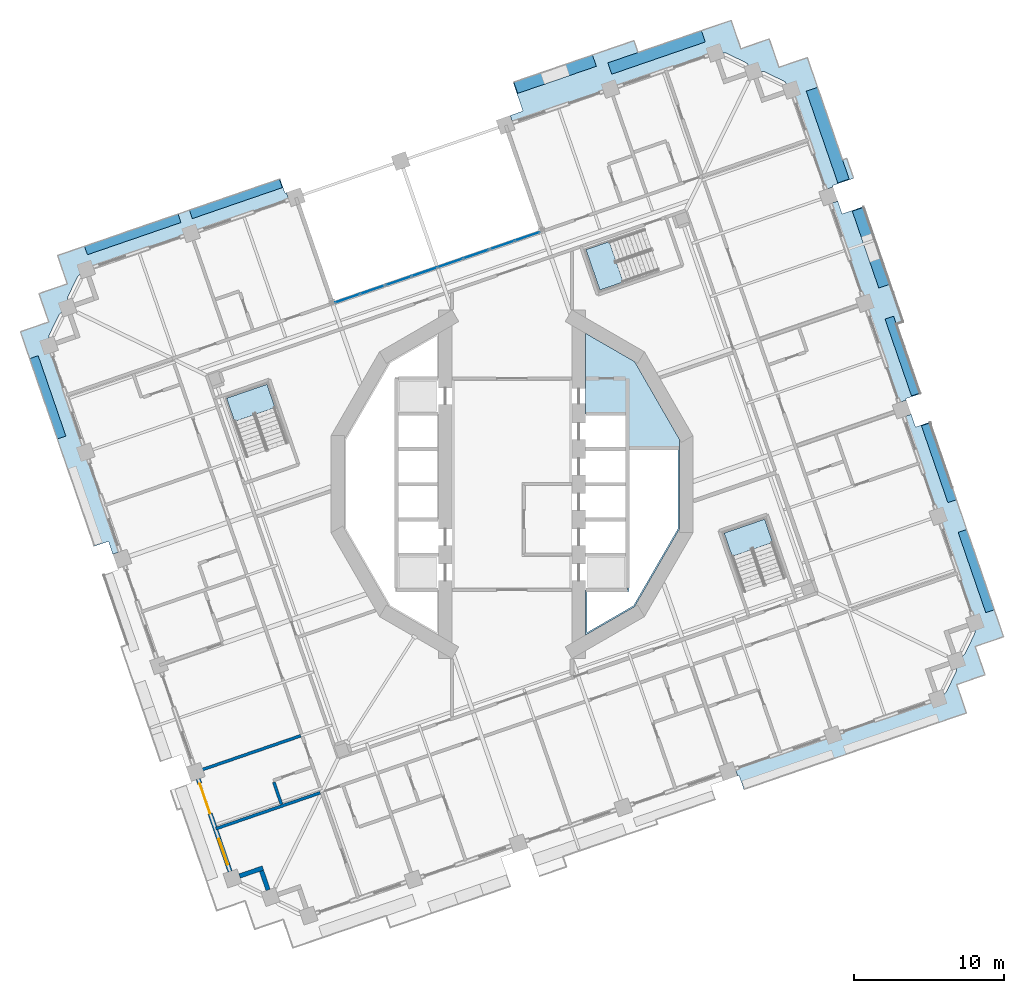
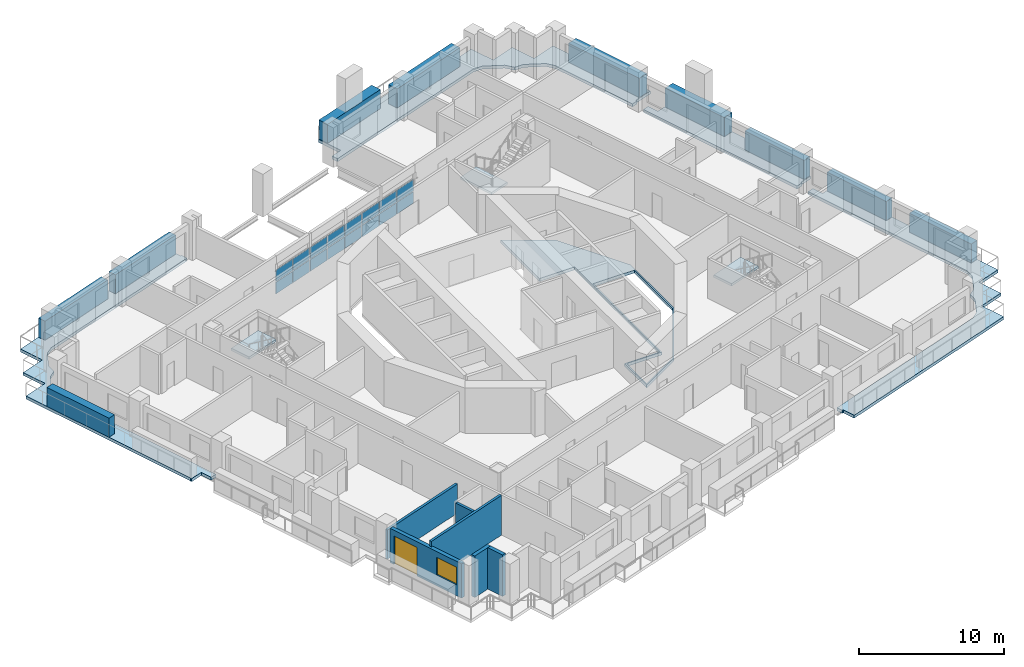
# One storey, part 6 of 22: 26 plates, 8 slabs, 6 walls, 1 door, 1 window, 2 openings, 4 elements without a shape of their own.
"""IFC4 building model written with IfcOpenShell, lengths in metres."""

from ifc_helpers import new_model, si_unit, direction, frame, frame_2d, origin, origin_2d, place, context, subcontext, project, spatial, polyline, rectangle, outline, extrude, material, layer, layer_set, type_object, element, fill, aggregate, save


model = new_model("IFC4")

# Units and contexts
model_context = context("Model", 3, precision=1e-05, world=origin(), true_north=direction((0.0, 1.0)))
body_context = subcontext(model_context, "Body", "Model", "MODEL_VIEW")
ifc_project = project(units=[si_unit("LENGTHUNIT", "METRE"), si_unit("AREAUNIT", "SQUARE_METRE"), si_unit("VOLUMEUNIT", "CUBIC_METRE"), si_unit("PLANEANGLEUNIT", "RADIAN"), si_unit("MASSUNIT", "GRAM", prefix="KILO")], contexts=[model_context])

# Site, building, storey
site_placement = place(None, origin())
site = spatial("IfcSite", under=ifc_project, at=site_placement, CompositionType="ELEMENT")
building_placement = place(site_placement, origin())
building = spatial("IfcBuilding", under=site, at=building_placement, Name="Cantera Rosa Tower", CompositionType="ELEMENT")
storey_placement = place(building_placement, frame((0.0, 0.0, 138.300048828125)))
storey = spatial("IfcBuildingStorey", under=building, at=storey_placement, Name="L29", CompositionType="ELEMENT", Elevation=138.300048828125)

# Slab
ifc_material_1 = material(Name="Concrete C35/45", Category="concrete")
ifc_layer_1 = layer(ifc_material_1, 0.25)
ifc_layer_set_1 = layer_set([ifc_layer_1], Name="COMPOSITE FLOOR SLAB 250 C35/45")
slab_type_1 = type_object("IfcSlabType", Name="COMPOSITE FLOOR SLAB 250 C35/45", PredefinedType="FLOOR", material=ifc_layer_set_1)
slab_1_placement = place(storey_placement, frame((0.0, 0.0, -0.25)))
element("IfcSlab", 1, at=slab_1_placement, inside=storey, type_object=slab_type_1, Name="SLAB L29 floor 3", PredefinedType="FLOOR", context=body_context, shape_type="SweptSolid", body=[
    extrude(outline(polyline([(4.89990234375, 4.699951171875), (4.89990234375, 10.07373046875), (8.179931640625, 8.179931640625), (11.174072265625, 2.994140625), (11.174072265625, -2.994140625), (8.179931640625, -8.179931640625), (4.89990234375, -10.07373046875), (4.89990234375, -7.050048828125), (7.699951171875, -7.050048828125), (7.699951171875, -4.699951171875), (7.699951171875, -2.35009765625), (7.699951171875, 0.0), (7.699951171875, 2.35009765625), (7.699951171875, 4.699951171875), (4.89990234375, 4.699951171875)]), holes=[polyline([(7.800048828125, 2.25), (7.800048828125, -2.25), (7.800048828125, -2.449951171875), (7.800048828125, -7.14990234375), (5.0, -7.14990234375), (5.0, -9.900390625), (8.106689453125, -8.106689453125), (11.07421875, -2.96728515625), (11.07421875, 2.317626953125), (7.800048828125, 2.317626953125), (7.800048828125, 2.25)])]), origin(), (0.0, 0.0, 1.0), 0.25),
])

# Curtain wall, plates
ifc_material_2 = material(Name="Aluminium frame with clear glass", Category="aluminium")
curtain_wall_type = type_object("IfcCurtainWallType", Name="CW1 TERRACE POCKET GLAZING", PredefinedType="NOTDEFINED", material=ifc_material_2)
curtain_wall_placement = place(storey_placement, origin())
curtain_wall = element("IfcCurtainWall", 2, at=curtain_wall_placement, inside=storey, type_object=curtain_wall_type, Name="CW1 CW1", PredefinedType="NOTDEFINED")
ifc_material_3 = material(Name="Aluminium frame with clear glass", Category="aluminium")
ifc_layer_2 = layer(ifc_material_3, 0.028076171875)
ifc_layer_set_2 = layer_set([ifc_layer_2], Name="CW-PANEL POCKET")
plate_type_1 = type_object("IfcPlateType", Name="CW-PANEL POCKET", PredefinedType="CURTAIN_PANEL", material=ifc_layer_set_2)
plate_1_placement = place(storey_placement, frame((1.0234375, 16.533935546875, 0.06005859375), z_axis=(0.0, 0.0, 1.0), x_axis=(-0.945518575605, -0.325568154441, 0.0)))
plate_1 = element("IfcPlate", 3, at=plate_1_placement, type_object=plate_type_1, Name="CW1 panel 1.1", PredefinedType="CURTAIN_PANEL", context=body_context, shape_type="SweptSolid", body=[
    extrude(rectangle(XDim=1.728759765625, YDim=0.028076171875, at=origin_2d()), origin(), (0.0, 0.0, 1.0), 0.97900390625),
])
plate_2_placement = place(storey_placement, frame((1.0234375, 16.533935546875, 1.098876953125), z_axis=(0.0, 0.0, 1.0), x_axis=(-0.945518575605, -0.325568154441, 0.0)))
plate_2 = element("IfcPlate", 4, at=plate_2_placement, type_object=plate_type_1, Name="CW1 panel 1.2", PredefinedType="CURTAIN_PANEL", context=body_context, shape_type="SweptSolid", body=[
    extrude(rectangle(XDim=1.728759765625, YDim=0.028076171875, at=origin_2d()), origin(), (0.0, 0.0, 1.0), 0.97900390625),
])
plate_3_placement = place(storey_placement, frame((-0.68212890625, 15.94677734375, 0.06005859375), z_axis=(0.0, 0.0, 1.0), x_axis=(-0.945518575605, -0.325568154441, 0.0)))
plate_3 = element("IfcPlate", 5, at=plate_3_placement, type_object=plate_type_1, Name="CW1 panel 2.1", PredefinedType="CURTAIN_PANEL", context=body_context, shape_type="SweptSolid", body=[
    extrude(rectangle(XDim=1.7587890625, YDim=0.028076171875, at=origin_2d()), origin(), (0.0, 0.0, 1.0), 0.97900390625),
])
plate_4_placement = place(storey_placement, frame((-0.68212890625, 15.94677734375, 1.098876953125), z_axis=(0.0, 0.0, 1.0), x_axis=(-0.945518575605, -0.325568154441, 0.0)))
plate_4 = element("IfcPlate", 6, at=plate_4_placement, type_object=plate_type_1, Name="CW1 panel 2.2", PredefinedType="CURTAIN_PANEL", context=body_context, shape_type="SweptSolid", body=[
    extrude(rectangle(XDim=1.7587890625, YDim=0.028076171875, at=origin_2d()), origin(), (0.0, 0.0, 1.0), 0.97900390625),
])
plate_5_placement = place(storey_placement, frame((-2.401611328125, 15.354736328125, 0.06005859375), z_axis=(0.0, 0.0, 1.0), x_axis=(-0.945518575605, -0.325568154441, 0.0)))
plate_5 = element("IfcPlate", 7, at=plate_5_placement, type_object=plate_type_1, Name="CW1 panel 3.1", PredefinedType="CURTAIN_PANEL", context=body_context, shape_type="SweptSolid", body=[
    extrude(rectangle(XDim=1.7587890625, YDim=0.028076171875, at=origin_2d()), origin(), (0.0, 0.0, 1.0), 0.97900390625),
])
plate_6_placement = place(storey_placement, frame((-2.401611328125, 15.354736328125, 1.098876953125), z_axis=(0.0, 0.0, 1.0), x_axis=(-0.945518575605, -0.325568154441, 0.0)))
plate_6 = element("IfcPlate", 8, at=plate_6_placement, type_object=plate_type_1, Name="CW1 panel 3.2", PredefinedType="CURTAIN_PANEL", context=body_context, shape_type="SweptSolid", body=[
    extrude(rectangle(XDim=1.7587890625, YDim=0.028076171875, at=origin_2d()), origin(), (0.0, 0.0, 1.0), 0.97900390625),
])
plate_7_placement = place(storey_placement, frame((-4.121337890625, 14.762451171875, 0.06005859375), z_axis=(0.0, 0.0, 1.0), x_axis=(-0.945518575605, -0.325568154441, 0.0)))
plate_7 = element("IfcPlate", 9, at=plate_7_placement, type_object=plate_type_1, Name="CW1 panel 4.1", PredefinedType="CURTAIN_PANEL", context=body_context, shape_type="SweptSolid", body=[
    extrude(rectangle(XDim=1.7587890625, YDim=0.028076171875, at=origin_2d()), origin(), (0.0, 0.0, 1.0), 0.97900390625),
])
plate_8_placement = place(storey_placement, frame((-4.121337890625, 14.762451171875, 1.098876953125), z_axis=(0.0, 0.0, 1.0), x_axis=(-0.945518575605, -0.325568154441, 0.0)))
plate_8 = element("IfcPlate", 10, at=plate_8_placement, type_object=plate_type_1, Name="CW1 panel 4.2", PredefinedType="CURTAIN_PANEL", context=body_context, shape_type="SweptSolid", body=[
    extrude(rectangle(XDim=1.7587890625, YDim=0.028076171875, at=origin_2d()), origin(), (0.0, 0.0, 1.0), 0.97900390625),
])
plate_9_placement = place(storey_placement, frame((-5.841064453125, 14.17041015625, 0.06005859375), z_axis=(0.0, 0.0, 1.0), x_axis=(-0.945518575605, -0.325568154441, 0.0)))
plate_9 = element("IfcPlate", 11, at=plate_9_placement, type_object=plate_type_1, Name="CW1 panel 5.1", PredefinedType="CURTAIN_PANEL", context=body_context, shape_type="SweptSolid", body=[
    extrude(rectangle(XDim=1.7587890625, YDim=0.028076171875, at=origin_2d()), origin(), (0.0, 0.0, 1.0), 0.97900390625),
])
plate_10_placement = place(storey_placement, frame((-5.841064453125, 14.17041015625, 1.098876953125), z_axis=(0.0, 0.0, 1.0), x_axis=(-0.945518575605, -0.325568154441, 0.0)))
plate_10 = element("IfcPlate", 12, at=plate_10_placement, type_object=plate_type_1, Name="CW1 panel 5.2", PredefinedType="CURTAIN_PANEL", context=body_context, shape_type="SweptSolid", body=[
    extrude(rectangle(XDim=1.7587890625, YDim=0.028076171875, at=origin_2d()), origin(), (0.0, 0.0, 1.0), 0.97900390625),
])
plate_11_placement = place(storey_placement, frame((-7.560791015625, 13.578125, 0.06005859375), z_axis=(0.0, 0.0, 1.0), x_axis=(-0.945518575605, -0.325568154441, 0.0)))
plate_11 = element("IfcPlate", 13, at=plate_11_placement, type_object=plate_type_1, Name="CW1 panel 6.1", PredefinedType="CURTAIN_PANEL", context=body_context, shape_type="SweptSolid", body=[
    extrude(rectangle(XDim=1.7587890625, YDim=0.028076171875, at=origin_2d()), origin(), (0.0, 0.0, 1.0), 0.97900390625),
])
plate_12_placement = place(storey_placement, frame((-7.560791015625, 13.578125, 1.098876953125), z_axis=(0.0, 0.0, 1.0), x_axis=(-0.945518575605, -0.325568154441, 0.0)))
plate_12 = element("IfcPlate", 14, at=plate_12_placement, type_object=plate_type_1, Name="CW1 panel 6.2", PredefinedType="CURTAIN_PANEL", context=body_context, shape_type="SweptSolid", body=[
    extrude(rectangle(XDim=1.7587890625, YDim=0.028076171875, at=origin_2d()), origin(), (0.0, 0.0, 1.0), 0.97900390625),
])
plate_13_placement = place(storey_placement, frame((-9.2802734375, 12.986083984375, 0.06005859375), z_axis=(0.0, 0.0, 1.0), x_axis=(-0.945518575605, -0.325568154441, 0.0)))
plate_13 = element("IfcPlate", 15, at=plate_13_placement, type_object=plate_type_1, Name="CW1 panel 7.1", PredefinedType="CURTAIN_PANEL", context=body_context, shape_type="SweptSolid", body=[
    extrude(rectangle(XDim=1.7587890625, YDim=0.028076171875, at=origin_2d()), origin(), (0.0, 0.0, 1.0), 0.97900390625),
])
plate_14_placement = place(storey_placement, frame((-9.2802734375, 12.986083984375, 1.098876953125), z_axis=(0.0, 0.0, 1.0), x_axis=(-0.945518575605, -0.325568154441, 0.0)))
plate_14 = element("IfcPlate", 16, at=plate_14_placement, type_object=plate_type_1, Name="CW1 panel 7.2", PredefinedType="CURTAIN_PANEL", context=body_context, shape_type="SweptSolid", body=[
    extrude(rectangle(XDim=1.7587890625, YDim=0.028076171875, at=origin_2d()), origin(), (0.0, 0.0, 1.0), 0.97900390625),
])
plate_15_placement = place(storey_placement, frame((-10.98583984375, 12.39892578125, 0.06005859375), z_axis=(0.0, 0.0, 1.0), x_axis=(-0.945518575605, -0.325568154441, 0.0)))
plate_15 = element("IfcPlate", 17, at=plate_15_placement, type_object=plate_type_1, Name="CW1 panel 8.1", PredefinedType="CURTAIN_PANEL", context=body_context, shape_type="SweptSolid", body=[
    extrude(rectangle(XDim=1.728759765625, YDim=0.028076171875, at=origin_2d()), origin(), (0.0, 0.0, 1.0), 0.97900390625),
])
plate_16_placement = place(storey_placement, frame((-10.98583984375, 12.39892578125, 1.098876953125), z_axis=(0.0, 0.0, 1.0), x_axis=(-0.945518575605, -0.325568154441, 0.0)))
plate_16 = element("IfcPlate", 18, at=plate_16_placement, type_object=plate_type_1, Name="CW1 panel 8.2", PredefinedType="CURTAIN_PANEL", context=body_context, shape_type="SweptSolid", body=[
    extrude(rectangle(XDim=1.728759765625, YDim=0.028076171875, at=origin_2d()), origin(), (0.0, 0.0, 1.0), 0.97900390625),
])
aggregate(curtain_wall, [plate_1, plate_2, plate_3, plate_4, plate_5, plate_6, plate_7, plate_8, plate_9, plate_10, plate_11, plate_12, plate_13, plate_14, plate_15, plate_16])

# Slabs
ifc_material_4 = material(Name="Concrete C35/45", Category="concrete")
ifc_layer_3 = layer(ifc_material_4, 0.25)
ifc_layer_set_3 = layer_set([ifc_layer_3], Name="LOGGIA SLAB 250 C35/45")
slab_type_2 = type_object("IfcSlabType", Name="LOGGIA SLAB 250 C35/45", PredefinedType="FLOOR", material=ifc_layer_set_3)
slab_2_placement = place(storey_placement, frame((0.0, 0.0, -0.25)))
element("IfcSlab", 19, at=slab_2_placement, inside=storey, type_object=slab_type_2, Name="LOGGIA SLAB L29 1", PredefinedType="FLOOR", context=body_context, shape_type="SweptSolid", body=[
    extrude(outline(polyline([(-29.375, 0.22900390625), (-30.3515625, 3.0654296875), (-32.3115234375, 8.757568359375), (-32.7998046875, 10.17578125), (-31.381591796875, 10.6640625), (-30.908935546875, 10.826904296875), (-31.071533203125, 11.2998046875), (-31.56005859375, 12.718017578125), (-30.1416015625, 13.206298828125), (-29.6689453125, 13.369140625), (-29.831787109375, 13.841796875), (-30.320068359375, 15.260009765625), (-28.90185546875, 15.74853515625), (-23.3232421875, 17.669189453125), (-20.48681640625, 18.64599609375), (-16.326416015625, 20.07861328125), (-15.4755859375, 20.37158203125), (-15.14990234375, 19.426025390625), (-15.055419921875, 19.45849609375), (-14.892578125, 18.98583984375), (-27.55078125, 14.627197265625), (-28.41357421875, 14.330078125), (-28.922119140625, 13.91943359375), (-28.943359375, 13.898681640625), (-28.962158203125, 13.876220703125), (-28.97900390625, 13.85205078125), (-28.9931640625, 13.826171875), (-29.613037109375, 12.55517578125), (-29.62451171875, 12.528076171875), (-29.633544921875, 12.5), (-29.6396484375, 12.47119140625), (-29.642822265625, 12.44189453125), (-29.6533203125, 11.7880859375), (-30.162109375, 11.377197265625), (-30.18310546875, 11.356689453125), (-30.2021484375, 11.333984375), (-30.21875, 11.309814453125), (-30.23291015625, 11.283935546875), (-30.852783203125, 10.012939453125), (-30.864501953125, 9.98583984375), (-30.873291015625, 9.957763671875), (-30.87939453125, 9.928955078125), (-30.8828125, 9.899658203125), (-30.893310546875, 9.245849609375), (-26.159423828125, -4.501953125), (-26.63232421875, -4.664794921875), (-26.92529296875, -3.813720703125), (-27.892333984375, -4.146728515625), (-27.932373046875, -4.03076171875), (-27.910888671875, -4.023193359375), (-29.375, 0.22900390625)])), origin(), (0.0, 0.0, 1.0), 0.25),
])
slab_3_placement = place(storey_placement, frame((0.0, 0.0, -0.25)))
element("IfcSlab", 20, at=slab_3_placement, inside=storey, type_object=slab_type_2, Name="LOGGIA SLAB L29 5", PredefinedType="FLOOR", context=body_context, shape_type="SweptSolid", body=[
    extrude(outline(polyline([(13.01416015625, 30.392822265625), (14.62158203125, 30.9462890625), (15.1748046875, 29.3388671875), (15.272705078125, 29.05517578125), (15.556396484375, 29.15283203125), (17.16357421875, 29.706298828125), (17.717041015625, 28.09912109375), (17.814697265625, 27.815185546875), (18.098388671875, 27.9130859375), (19.705810546875, 28.466552734375), (20.25927734375, 26.859130859375), (22.055908203125, 21.641357421875), (22.341064453125, 21.739501953125), (22.79736328125, 20.414306640625), (21.377685546875, 19.92529296875), (21.41015625, 19.830810546875), (20.9375, 19.668212890625), (18.948974609375, 25.443115234375), (18.65185546875, 26.3056640625), (18.240966796875, 26.814453125), (18.220458984375, 26.83544921875), (18.197998046875, 26.8544921875), (18.173583984375, 26.87109375), (18.14794921875, 26.88525390625), (16.876708984375, 27.505126953125), (16.849609375, 27.516845703125), (16.82177734375, 27.525634765625), (16.79296875, 27.53173828125), (16.763671875, 27.534912109375), (16.109619140625, 27.54541015625), (15.698974609375, 28.05419921875), (15.67822265625, 28.075439453125), (15.65576171875, 28.09423828125), (15.631591796875, 28.111083984375), (15.605712890625, 28.125), (14.334716796875, 28.7451171875), (14.3076171875, 28.756591796875), (14.279541015625, 28.765625), (14.250732421875, 28.771728515625), (14.221435546875, 28.77490234375), (13.567626953125, 28.785400390625), (0.046630859375, 24.1298828125), (-0.1162109375, 24.6025390625), (0.73486328125, 24.8955078125), (0.0732421875, 26.81689453125), (8.140380859375, 29.594482421875), (8.411376953125, 28.807861328125), (13.01416015625, 30.392822265625)])), origin(), (0.0, 0.0, 1.0), 0.25),
])
slab_4_placement = place(storey_placement, frame((0.0, 0.0, -0.25)))
element("IfcSlab", 21, at=slab_4_placement, inside=storey, type_object=slab_type_2, Name="LOGGIA SLAB L29 6", PredefinedType="FLOOR", context=body_context, shape_type="SweptSolid", body=[
    extrude(outline(polyline([(27.2412109375, 6.037841796875), (26.274169921875, 5.704833984375), (26.306640625, 5.6103515625), (25.833984375, 5.447509765625), (21.262939453125, 18.72265625), (21.735595703125, 18.885498046875), (22.02880859375, 18.034423828125), (23.448486328125, 18.523193359375), (26.0927734375, 10.843994140625), (25.639892578125, 10.688232421875), (27.2412109375, 6.037841796875)])), origin(), (0.0, 0.0, 1.0), 0.25),
])
slab_5_placement = place(storey_placement, frame((0.0, 0.0, -0.25)))
element("IfcSlab", 22, at=slab_5_placement, inside=storey, type_object=slab_type_2, Name="LOGGIA SLAB L29 7", PredefinedType="FLOOR", context=body_context, shape_type="SweptSolid", body=[
    extrude(outline(polyline([(29.375, -0.22900390625), (30.3515625, -3.0654296875), (32.3115234375, -8.757568359375), (32.7998046875, -10.17578125), (31.381591796875, -10.6640625), (30.908935546875, -10.826904296875), (31.071533203125, -11.2998046875), (31.56005859375, -12.718017578125), (30.1416015625, -13.206298828125), (29.6689453125, -13.369140625), (29.831787109375, -13.841796875), (30.320068359375, -15.260009765625), (28.90185546875, -15.74853515625), (23.3232421875, -17.669189453125), (20.48681640625, -18.64599609375), (16.326416015625, -20.07861328125), (15.4755859375, -20.37158203125), (15.14990234375, -19.426025390625), (15.055419921875, -19.45849609375), (14.892578125, -18.98583984375), (27.55078125, -14.627197265625), (28.41357421875, -14.330078125), (28.922119140625, -13.91943359375), (28.943359375, -13.898681640625), (28.962158203125, -13.876220703125), (28.97900390625, -13.85205078125), (28.9931640625, -13.826171875), (29.613037109375, -12.55517578125), (29.62451171875, -12.528076171875), (29.633544921875, -12.5), (29.6396484375, -12.47119140625), (29.642822265625, -12.44189453125), (29.6533203125, -11.7880859375), (30.162109375, -11.377197265625), (30.18310546875, -11.356689453125), (30.2021484375, -11.333984375), (30.21875, -11.309814453125), (30.23291015625, -11.283935546875), (30.852783203125, -10.012939453125), (30.864501953125, -9.98583984375), (30.873291015625, -9.957763671875), (30.87939453125, -9.928955078125), (30.8828125, -9.899658203125), (30.893310546875, -9.245849609375), (26.159423828125, 4.501953125), (26.63232421875, 4.664794921875), (26.92529296875, 3.813720703125), (27.892333984375, 4.146728515625), (27.932373046875, 4.03076171875), (27.910888671875, 4.023193359375), (29.375, -0.22900390625)])), origin(), (0.0, 0.0, 1.0), 0.25),
])

# Plates
ifc_material_5 = material(Name="Cantera stone planter with soil", Category="masonry")
plate_type_2 = type_object("IfcPlateType", Name="PLANTER 600", PredefinedType="USERDEFINED", material=ifc_material_5)
plate_17_placement = place(storey_placement, frame((30.974609375, -5.79638671875, 0.0), z_axis=(0.0, 0.0, 1.0), x_axis=(-0.325568154457, 0.945518575599, 0.0)))
element("IfcPlate", 23, at=plate_17_placement, inside=storey, type_object=plate_type_2, Name="PLANTER L29-01", ObjectType="PLANTER", PredefinedType="USERDEFINED", context=body_context, shape_type="SweptSolid", body=[
    extrude(rectangle(XDim=5.669921875, YDim=0.60009765625, at=origin_2d()), origin(), (0.0, 0.0, 1.0), 1.60009765625),
])
for number, where, z_axis, x_axis, name in (
    (24, (28.485595703125, 1.43212890625, 0.0), (0.0, 0.0, 1.0), (-0.325568154457, 0.945518575599, 0.0), "PLANTER L29-02"),
    (25, (26.05908203125, 8.5498046875, 0.0), (0.0, 0.0, 1.0), (-0.325568154457, 0.945518575599, 0.0), "PLANTER L29-03"),
):
    element("IfcPlate", number, at=place(storey_placement, frame(where, z_axis=z_axis, x_axis=x_axis)), inside=storey, type_object=plate_type_2, Name=name, ObjectType="PLANTER", PredefinedType="USERDEFINED", context=body_context, shape_type="SweptSolid", body=[
        extrude(rectangle(XDim=5.419921875, YDim=0.60009765625, at=origin_2d()), origin(), (0.0, 0.0, 1.0), 1.60009765625),
    ])
plate_18_placement = place(storey_placement, frame((-18.427001953125, 19.037841796875, 0.0), z_axis=(0.0, 0.0, 1.0), x_axis=(-0.945518575599, -0.325568154457, 0.0)))
element("IfcPlate", 26, at=plate_18_placement, inside=storey, type_object=plate_type_2, Name="PLANTER L29-10", ObjectType="PLANTER", PredefinedType="USERDEFINED", context=body_context, shape_type="SweptSolid", body=[
    extrude(rectangle(XDim=6.35009765625, YDim=0.60009765625, at=origin_2d()), origin(), (0.0, 0.0, 1.0), 1.60009765625),
])
plate_19_placement = place(storey_placement, frame((-25.3056640625, 16.66943359375, 0.0), z_axis=(0.0, 0.0, 1.0), x_axis=(-0.945518575599, -0.325568154457, 0.0)))
element("IfcPlate", 27, at=plate_19_placement, inside=storey, type_object=plate_type_2, Name="PLANTER L29-11", ObjectType="PLANTER", PredefinedType="USERDEFINED", context=body_context, shape_type="SweptSolid", body=[
    extrude(rectangle(XDim=6.60009765625, YDim=0.60009765625, at=origin_2d()), origin(), (0.0, 0.0, 1.0), 1.60009765625),
])
plate_20_placement = place(storey_placement, frame((-30.974609375, 5.79638671875, 0.0), z_axis=(0.0, 0.0, 1.0), x_axis=(0.325568154457, -0.945518575599, 0.0)))
element("IfcPlate", 28, at=plate_20_placement, inside=storey, type_object=plate_type_2, Name="PLANTER L29-12", ObjectType="PLANTER", PredefinedType="USERDEFINED", context=body_context, shape_type="SweptSolid", body=[
    extrude(rectangle(XDim=5.669921875, YDim=0.60009765625, at=origin_2d()), origin(), (0.0, 0.0, 1.0), 1.60009765625),
])
ifc_material_6 = material(Name="Cantera stone planter with soil", Category="masonry")
plate_type_3 = type_object("IfcPlateType", Name="PLANTER 800", PredefinedType="USERDEFINED", material=ifc_material_6)
plate_21_placement = place(storey_placement, frame((23.968994140625, 15.783447265625, 0.0), z_axis=(0.0, 0.0, 1.0), x_axis=(-0.325568154457, 0.945518575599, 0.0)))
element("IfcPlate", 29, at=plate_21_placement, inside=storey, type_object=plate_type_3, Name="PLANTER L29-04", ObjectType="PLANTER", PredefinedType="USERDEFINED", context=body_context, shape_type="SweptSolid", body=[
    extrude(rectangle(XDim=5.419921875, YDim=0.800048828125, at=origin_2d()), origin(), (0.0, 0.0, 1.0), 1.60009765625),
])
plate_22_placement = place(storey_placement, frame((21.064453125, 23.2919921875, 0.0), z_axis=(0.0, 0.0, 1.0), x_axis=(-0.325568154457, 0.945518575599, 0.0)))
element("IfcPlate", 30, at=plate_22_placement, inside=storey, type_object=plate_type_3, Name="PLANTER L29-05", ObjectType="PLANTER", PredefinedType="USERDEFINED", context=body_context, shape_type="SweptSolid", body=[
    extrude(rectangle(XDim=6.469970703125, YDim=0.800048828125, at=origin_2d()), origin(), (0.0, 0.0, 1.0), 1.60009765625),
])
plate_23_placement = place(storey_placement, frame((9.64599609375, 28.81005859375, 0.0), z_axis=(0.0, 0.0, 1.0), x_axis=(-0.945518575599, -0.325568154457, 0.0)))
element("IfcPlate", 31, at=plate_23_placement, inside=storey, type_object=plate_type_3, Name="PLANTER L29-06", ObjectType="PLANTER", PredefinedType="USERDEFINED", context=body_context, shape_type="SweptSolid", body=[
    extrude(rectangle(XDim=6.60009765625, YDim=0.800048828125, at=origin_2d()), origin(), (0.0, 0.0, 1.0), 1.60009765625),
])
plate_24_placement = place(storey_placement, frame((2.87451171875, 27.3583984375, 0.0), z_axis=(0.0, 0.0, 1.0), x_axis=(-0.945518575599, -0.325568154457, 0.0)))
element("IfcPlate", 32, at=plate_24_placement, inside=storey, type_object=plate_type_3, Name="PLANTER L29-07", ObjectType="PLANTER", PredefinedType="USERDEFINED", context=body_context, shape_type="SweptSolid", body=[
    extrude(rectangle(XDim=5.550048828125, YDim=0.800048828125, at=origin_2d()), origin(), (0.0, 0.0, 1.0), 1.60009765625),
])

# Stair, slab
ifc_material_7 = material(Name="Concrete C35/45", Category="concrete")
stair_type = type_object("IfcStairType", Name="EXIT STAIR 1350 DOGLEG", PredefinedType="HALF_TURN_STAIR", material=ifc_material_7)
stair_1_placement = place(storey_placement, origin())
stair_1 = element("IfcStair", 33, at=stair_1_placement, inside=storey, type_object=stair_type, Name="L29 ST-21", PredefinedType="HALF_TURN_STAIR")
ifc_material_8 = material(Name="Concrete C35/45", Category="concrete")
ifc_layer_4 = layer(ifc_material_8, 0.199951171875)
ifc_layer_set_4 = layer_set([ifc_layer_4], Name="STAIR LANDING 200")
slab_type_3 = type_object("IfcSlabType", Name="STAIR LANDING 200", PredefinedType="LANDING", material=ifc_layer_set_4)
slab_6_placement = place(storey_placement, frame((0.0, 0.0, 1.699951171875)))
slab_6 = element("IfcSlab", 34, at=slab_6_placement, type_object=slab_type_3, Name="ST-21 landing 1", PredefinedType="LANDING", context=body_context, shape_type="SweptSolid", body=[
    extrude(outline(polyline([(6.488525390625, 16.1865234375), (4.935791015625, 15.652099609375), (5.86376953125, 12.957275390625), (7.416259765625, 13.491943359375), (6.488525390625, 16.1865234375)])), origin(), (0.0, 0.0, 1.0), 0.199951171875),
])
aggregate(stair_1, [slab_6])

stair_2_placement = place(storey_placement, origin())
stair_2 = element("IfcStair", 35, at=stair_2_placement, inside=storey, type_object=stair_type, Name="L29 ST-22", PredefinedType="HALF_TURN_STAIR")
slab_7_placement = place(storey_placement, frame((0.0, 0.0, 1.699951171875)))
slab_7 = element("IfcSlab", 36, at=slab_7_placement, type_object=slab_type_3, Name="ST-22 landing 1", PredefinedType="LANDING", context=body_context, shape_type="SweptSolid", body=[
    extrude(outline(polyline([(-15.8134765625, 5.111572265625), (-16.347900390625, 6.6640625), (-19.042724609375, 5.736328125), (-18.508056640625, 4.18359375), (-15.8134765625, 5.111572265625)])), origin(), (0.0, 0.0, 1.0), 0.199951171875),
])
aggregate(stair_2, [slab_7])

stair_3_placement = place(storey_placement, origin())
stair_3 = element("IfcStair", 37, at=stair_3_placement, inside=storey, type_object=stair_type, Name="L29 ST-23", PredefinedType="HALF_TURN_STAIR")
slab_8_placement = place(storey_placement, frame((0.0, 0.0, 1.699951171875)))
slab_8 = element("IfcSlab", 38, at=slab_8_placement, type_object=slab_type_3, Name="ST-23 landing 1", PredefinedType="LANDING", context=body_context, shape_type="SweptSolid", body=[
    extrude(outline(polyline([(17.38671875, -3.888427734375), (16.85205078125, -2.3359375), (14.1572265625, -3.263671875), (14.69189453125, -4.81640625), (17.38671875, -3.888427734375)])), origin(), (0.0, 0.0, 1.0), 0.199951171875),
])
aggregate(stair_3, [slab_8])

# Walls
ifc_material_9 = material(Name="Hollow clay masonry with cantera stone cladding", Category="masonry")
ifc_layer_5 = layer(ifc_material_9, 0.300048828125)
ifc_layer_set_5 = layer_set([ifc_layer_5], Name="EW-LOGGIA 300")
wall_type_1 = type_object("IfcWallType", Name="EW-LOGGIA 300", PredefinedType="SOLIDWALL", material=ifc_layer_set_5)
wall_1_placement = place(storey_placement, frame((-18.17919921875, -26.142822265625, 0.0), z_axis=(0.0, 0.0, 1.0), x_axis=(0.945530119553, 0.32553462645, 0.0)))
element("IfcWall", 39, at=wall_1_placement, inside=storey, type_object=wall_type_1, Name="EN-L29-W21a", PredefinedType="SOLIDWALL", context=body_context, shape_type="SweptSolid", body=[
    extrude(rectangle(XDim=1.64990234375, YDim=0.300048828125, at=frame_2d((0.824951171875, 0.0))), origin(), (0.0, 0.0, 1.0), 3.5),
])
wall_2_placement = place(storey_placement, frame((-16.7119140625, -25.79638671875, 0.0), z_axis=(0.0, 0.0, 1.0), x_axis=(0.325544748006, -0.945526634763, 0.0)))
element("IfcWall", 40, at=wall_2_placement, inside=storey, type_object=wall_type_1, Name="EN-L29-W21b", PredefinedType="SOLIDWALL", context=body_context, shape_type="SweptSolid", body=[
    extrude(rectangle(XDim=1.349853515625, YDim=0.300048828125, at=frame_2d((0.6748046875, 0.0))), origin(), (0.0, 0.0, 1.0), 3.5),
])

# Wall, openings, window, door
ifc_material_10 = material(Name="Hollow clay masonry with cantera stone cladding", Category="masonry")
ifc_layer_6 = layer(ifc_material_10, 0.300048828125)
ifc_layer_set_6 = layer_set([ifc_layer_6], Name="EW-LOGGIA 300 H2890")
wall_type_2 = type_object("IfcWallType", Name="EW-LOGGIA 300 H2890", PredefinedType="SOLIDWALL", material=ifc_layer_set_6)
wall_3_placement = place(storey_placement, frame((-20.9375, -19.668212890625, 0.0), z_axis=(0.0, 0.0, 1.0), x_axis=(0.325592517631, -0.945510186335, 0.0)))
wall_3 = element("IfcWall", 41, at=wall_3_placement, inside=storey, type_object=wall_type_2, Name="EN-L29-W20", PredefinedType="SOLIDWALL", context=body_context, shape_type="SweptSolid", body=[
    extrude(rectangle(XDim=6.519775390625, YDim=0.300048828125, at=frame_2d((3.259765625, 0.0))), origin(), (0.0, 0.0, 1.0), 2.889892578125),
])
opening_1_placement = place(wall_3_placement, frame((0.330078125, 0.0, 0.0)))
opening_1 = element("IfcOpeningElement", 42, at=opening_1_placement, cuts=wall_3, Name="Opening L29-TD27", PredefinedType="OPENING", context=body_context, shape_type="SweptSolid", body=[
    extrude(rectangle(XDim=2.10009765625, YDim=2.39990234375, at=frame_2d((1.050048828125, 1.199951171875))), frame((0.0, 0.159912109375, 0.0), z_axis=(0.0, -1.0, 0.0), x_axis=(1.0, 0.0, 0.0)), (0.0, 0.0, 1.0), 0.320068359375),
])
opening_2_placement = place(wall_3_placement, frame((4.239990234375, 0.0, 0.89990234375)))
opening_2 = element("IfcOpeningElement", 43, at=opening_2_placement, cuts=wall_3, Name="Opening L29-W28", PredefinedType="OPENING", context=body_context, shape_type="SweptSolid", body=[
    extrude(rectangle(XDim=1.800048828125, YDim=1.5, at=frame_2d((0.89990234375, 0.75))), frame((0.0, 0.159912109375, 0.0), z_axis=(0.0, -1.0, 0.0), x_axis=(1.0, 0.0, 0.0)), (0.0, 0.0, 1.0), 0.320068359375),
])
ifc_material_11 = material(Name="Aluminium frame with clear glass", Category="aluminium")
window_type = type_object("IfcWindowType", Name="Hotel room window 1800x1500", PartitioningType="DOUBLE_PANEL_VERTICAL", PredefinedType="WINDOW", material=ifc_material_11)
window_placement = place(opening_2_placement, origin())
window = element("IfcWindow", 44, at=window_placement, inside=storey, type_object=window_type, Name="WINDOW L29-W28", OverallHeight=1.5, OverallWidth=1.800048828125, PartitioningType="SINGLE_PANEL", PredefinedType="WINDOW", context=body_context, shape_type="SweptSolid", body=[
    extrude(rectangle(XDim=1.800048828125, YDim=1.5, at=frame_2d((0.89990234375, 0.75))), frame((0.0, 0.030029296875, 0.0), z_axis=(0.0, -1.0, 0.0), x_axis=(1.0, 0.0, 0.0)), (0.0, 0.0, 1.0), 0.06005859375),
])
fill(opening_2, window)
ifc_material_12 = material(Name="Aluminium frame with clear glass", Category="aluminium")
door_type = type_object("IfcDoorType", Name="TD-H 2100x2400", OperationType="NOTDEFINED", PredefinedType="DOOR", material=ifc_material_12)
door_placement = place(opening_1_placement, origin())
door = element("IfcDoor", 45, at=door_placement, inside=storey, type_object=door_type, Name="LOGGIA DOOR L29-TD27", OperationType="SLIDING_TO_LEFT", OverallHeight=2.39990234375, OverallWidth=2.10009765625, PredefinedType="DOOR", context=body_context, shape_type="SweptSolid", body=[
    extrude(rectangle(XDim=2.10009765625, YDim=2.39990234375, at=frame_2d((1.050048828125, 1.199951171875))), frame((0.0, 0.02490234375, 0.0), z_axis=(0.0, -1.0, 0.0), x_axis=(1.0, 0.0, 0.0)), (0.0, 0.0, 1.0), 0.050048828125),
])
fill(opening_1, door)

# Walls
ifc_material_13 = material(Name="Gypsum board partition")
ifc_layer_7 = layer(ifc_material_13, 0.199951171875)
ifc_layer_set_7 = layer_set([ifc_layer_7], Name="PARTITION 200 H3350")
wall_type_3 = type_object("IfcWallType", Name="PARTITION 200 H3350", PredefinedType="PARTITIONING", material=ifc_layer_set_7)
wall_4_placement = place(storey_placement, frame((-15.386474609375, -21.352783203125, 0.0), z_axis=(0.0, 0.0, 1.0), x_axis=(-0.325508352099, 0.945539165087, 0.0)))
element("IfcWall", 46, at=wall_4_placement, inside=storey, type_object=wall_type_3, Name="PARTITION L29-024", PredefinedType="PARTITIONING", context=body_context, shape_type="SweptSolid", body=[
    extrude(rectangle(XDim=1.56005859375, YDim=0.199951171875, at=frame_2d((0.780029296875, 0.0))), origin(), (0.0, 0.0, 1.0), 3.349853515625),
])
ifc_material_14 = material(Name="Gypsum board partition")
ifc_layer_8 = layer(ifc_material_14, 0.199951171875)
ifc_layer_set_8 = layer_set([ifc_layer_8], Name="PARTY WALL 200 H2450")
wall_type_4 = type_object("IfcWallType", Name="PARTY WALL 200 H2450", PredefinedType="PARTITIONING", material=ifc_layer_set_8)
wall_5_placement = place(storey_placement, frame((-14.103271484375, -16.7861328125, 0.0), z_axis=(0.0, 0.0, 1.0), x_axis=(-0.945520034471, -0.325563917555, 0.0)))
element("IfcWall", 47, at=wall_5_placement, inside=storey, type_object=wall_type_4, Name="PARTY WALL L29-027", PredefinedType="PARTITIONING", context=body_context, shape_type="SweptSolid", body=[
    extrude(rectangle(XDim=7.3701171875, YDim=0.199951171875, at=frame_2d((3.68505859375, 0.0))), origin(), (0.0, 0.0, 1.0), 2.449951171875),
])
ifc_material_15 = material(Name="Gypsum board partition")
ifc_layer_9 = layer(ifc_material_15, 0.199951171875)
ifc_layer_set_9 = layer_set([ifc_layer_9], Name="PARTY WALL 200 H3350")
wall_type_5 = type_object("IfcWallType", Name="PARTY WALL 200 H3350", PredefinedType="PARTITIONING", material=ifc_layer_set_9)
wall_6_placement = place(storey_placement, frame((-19.762939453125, -22.986572265625, 0.0), z_axis=(0.0, 0.0, 1.0), x_axis=(0.945516523202, 0.32557411499, 0.0)))
element("IfcWall", 48, at=wall_6_placement, inside=storey, type_object=wall_type_5, Name="PARTY WALL L29-013", PredefinedType="PARTITIONING", context=body_context, shape_type="SweptSolid", body=[
    extrude(rectangle(XDim=7.369873046875, YDim=0.199951171875, at=frame_2d((3.68505859375, 0.0))), origin(), (0.0, 0.0, 1.0), 3.349853515625),
])

save(model, "model.ifc")
